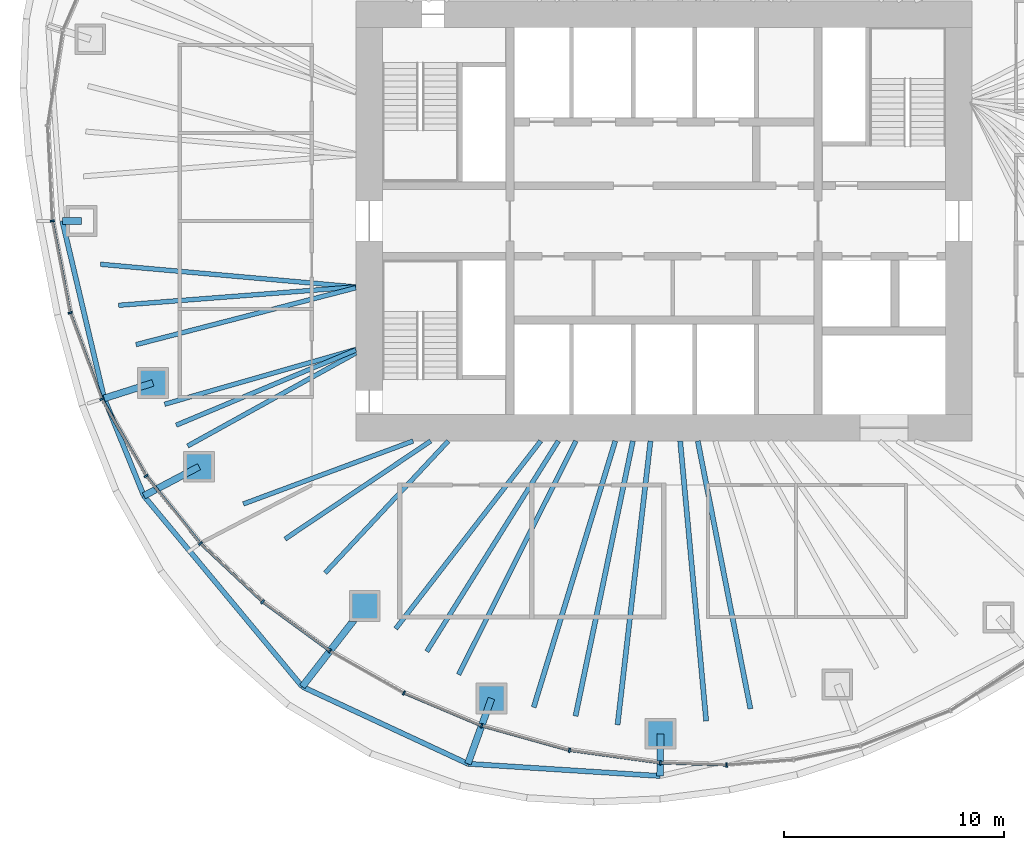
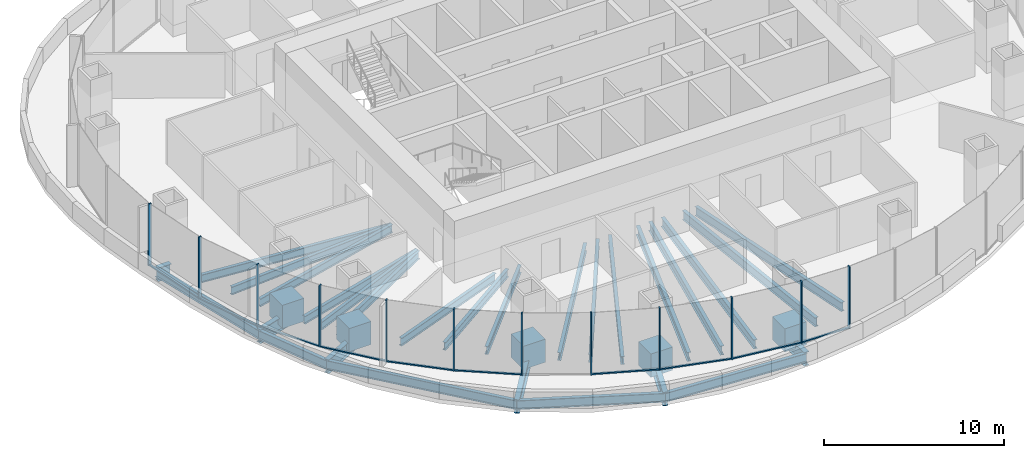
# One storey, part 2 of 12: 28 beams, 27 members, 6 elements without a shape of their own.
"""IFC4 building model written with IfcOpenShell, lengths in metres."""

from ifc_helpers import new_model, si_unit, direction, frame, origin, origin_2d, place, context, subcontext, project, spatial, rectangle, hollow_rectangle, i_section, extrude, boolean, material, material_profile, profile_set, type_object, element, aggregate, save


model = new_model("IFC4")

# Units and contexts
model_context = context("Model", 3, precision=1e-05, world=origin(), true_north=direction((0.0, 1.0)))
body_context = subcontext(model_context, "Body", "Model", "MODEL_VIEW")
ifc_project = project(units=[si_unit("LENGTHUNIT", "METRE"), si_unit("AREAUNIT", "SQUARE_METRE"), si_unit("VOLUMEUNIT", "CUBIC_METRE"), si_unit("PLANEANGLEUNIT", "RADIAN"), si_unit("MASSUNIT", "GRAM", prefix="KILO")], contexts=[model_context])

# Site, building, storey
site_placement = place(None, origin())
site = spatial("IfcSite", under=ifc_project, at=site_placement, CompositionType="ELEMENT")
building_placement = place(site_placement, origin())
building = spatial("IfcBuilding", under=site, at=building_placement, Name="Ghaith Harvest Tower", CompositionType="ELEMENT")
storey_placement = place(building_placement, frame((0.0, 0.0, 194.800048828125)))
storey = spatial("IfcBuildingStorey", under=building, at=storey_placement, Name="L42", CompositionType="ELEMENT", Elevation=194.800048828125)

# Curtain wall, members
ifc_material_1 = material(Name="Black anodised aluminium and fritted glass", Category="aluminium")
curtain_wall_type = type_object("IfcCurtainWallType", Name="CW-H CURTAIN WALL", PredefinedType="NOTDEFINED", material=ifc_material_1)
curtain_wall_1_placement = place(storey_placement, origin())
curtain_wall_1 = element("IfcCurtainWall", 1, at=curtain_wall_1_placement, inside=storey, type_object=curtain_wall_type, Name="Curtain wall CW-H bay 11 L42", PredefinedType="NOTDEFINED")
ifc_material_2 = material(Name="Aluminium, black anodised", Category="aluminium")
ifc_material_profile_1 = material_profile(ifc_material_2, rectangle(XDim=0.080078125, YDim=0.199951171875, at=origin_2d()), Name="CW-H MULLION 80x200")
ifc_profile_set_1 = profile_set([ifc_material_profile_1], Name="Aluminium, black anodised")
member_type_1 = type_object("IfcMemberType", Name="CW-H MULLION 80x200", PredefinedType="MULLION", material=ifc_profile_set_1)
member_1_placement = place(storey_placement, frame((-27.794921875, 0.0, 0.0), z_axis=(0.0, 0.0, 1.0), x_axis=(0.12024996575, -0.992743645528, 0.0)))
member_1 = element("IfcMember", 2, at=member_1_placement, type_object=member_type_1, Name="CW-H mullion 1 bay 11 L42", PredefinedType="MULLION", context=body_context, shape_type="SweptSolid", body=[
    extrude(rectangle(XDim=0.080078125, YDim=0.199951171875, at=origin_2d()), origin(), (0.0, 0.0, 1.0), 4.199951171875),
])
member_2_placement = place(storey_placement, frame((-26.9853515625, -4.173828125, 0.0), z_axis=(0.0, 0.0, 1.0), x_axis=(0.268568830903, -0.963260495955, 0.0)))
member_2 = element("IfcMember", 3, at=member_2_placement, type_object=member_type_1, Name="CW-H mullion 2 bay 11 L42", PredefinedType="MULLION", context=body_context, shape_type="SweptSolid", body=[
    extrude(rectangle(XDim=0.080078125, YDim=0.199951171875, at=origin_2d()), origin(), (0.0, 0.0, 1.0), 4.199951171875),
])

curtain_wall_2_placement = place(storey_placement, origin())
curtain_wall_2 = element("IfcCurtainWall", 4, at=curtain_wall_2_placement, inside=storey, type_object=curtain_wall_type, Name="Curtain wall CW-H bay 12 L42", PredefinedType="NOTDEFINED")
member_3_placement = place(storey_placement, frame((-25.538330078125, -8.093505859375, 0.0), z_axis=(0.0, 0.0, 1.0), x_axis=(0.422308650185, -0.906452096903, 0.0)))
member_3 = element("IfcMember", 5, at=member_3_placement, type_object=member_type_1, Name="CW-H mullion 1 bay 12 L42", PredefinedType="MULLION", context=body_context, shape_type="SweptSolid", body=[
    extrude(rectangle(XDim=0.080078125, YDim=0.199951171875, at=origin_2d()), origin(), (0.0, 0.0, 1.0), 4.199951171875),
])
member_4_placement = place(storey_placement, frame((-23.533203125, -11.58349609375, 0.0), z_axis=(0.0, 0.0, 1.0), x_axis=(0.563616546013, -0.826036554312, 0.0)))
member_4 = element("IfcMember", 6, at=member_4_placement, type_object=member_type_1, Name="CW-H mullion 2 bay 12 L42", PredefinedType="MULLION", context=body_context, shape_type="SweptSolid", body=[
    extrude(rectangle(XDim=0.080078125, YDim=0.199951171875, at=origin_2d()), origin(), (0.0, 0.0, 1.0), 4.199951171875),
])

curtain_wall_3_placement = place(storey_placement, origin())
curtain_wall_3 = element("IfcCurtainWall", 7, at=curtain_wall_3_placement, inside=storey, type_object=curtain_wall_type, Name="Curtain wall CW-H bay 13 L42", PredefinedType="NOTDEFINED")
member_5_placement = place(storey_placement, frame((-21.0615234375, -14.65478515625, 0.0), z_axis=(0.0, 0.0, 1.0), x_axis=(0.679181589754, -0.733970277422, 0.0)))
member_5 = element("IfcMember", 8, at=member_5_placement, type_object=member_type_1, Name="CW-H mullion 1 bay 13 L42", PredefinedType="MULLION", context=body_context, shape_type="SweptSolid", body=[
    extrude(rectangle(XDim=0.080078125, YDim=0.199951171875, at=origin_2d()), origin(), (0.0, 0.0, 1.0), 4.199951171875),
])
member_6_placement = place(storey_placement, frame((-18.238037109375, -17.30615234375, 0.0), z_axis=(0.0, 0.0, 1.0), x_axis=(0.769216709506, -0.638987991919, 0.0)))
member_6 = element("IfcMember", 9, at=member_6_placement, type_object=member_type_1, Name="CW-H mullion 2 bay 13 L42", PredefinedType="MULLION", context=body_context, shape_type="SweptSolid", body=[
    extrude(rectangle(XDim=0.080078125, YDim=0.199951171875, at=origin_2d()), origin(), (0.0, 0.0, 1.0), 4.199951171875),
])

curtain_wall_4_placement = place(storey_placement, origin())
curtain_wall_4 = element("IfcCurtainWall", 10, at=curtain_wall_4_placement, inside=storey, type_object=curtain_wall_type, Name="Curtain wall CW-H bay 14 L42", PredefinedType="NOTDEFINED")
member_7_placement = place(storey_placement, frame((-15.177490234375, -19.542724609375, 0.0), z_axis=(0.0, 0.0, 1.0), x_axis=(0.840233591157, -0.5422245958, 0.0)))
member_7 = element("IfcMember", 11, at=member_7_placement, type_object=member_type_1, Name="CW-H mullion 1 bay 14 L42", PredefinedType="MULLION", context=body_context, shape_type="SweptSolid", body=[
    extrude(rectangle(XDim=0.080078125, YDim=0.199951171875, at=origin_2d()), origin(), (0.0, 0.0, 1.0), 4.199951171875),
])
member_8_placement = place(storey_placement, frame((-11.815185546875, -21.45068359375, 0.0), z_axis=(0.0, 0.0, 1.0), x_axis=(0.896852966189, -0.442328788389, 0.0)))
member_8 = element("IfcMember", 12, at=member_8_placement, type_object=member_type_1, Name="CW-H mullion 2 bay 14 L42", PredefinedType="MULLION", context=body_context, shape_type="SweptSolid", body=[
    extrude(rectangle(XDim=0.080078125, YDim=0.199951171875, at=origin_2d()), origin(), (0.0, 0.0, 1.0), 4.199951171875),
])

curtain_wall_5_placement = place(storey_placement, origin())
curtain_wall_5 = element("IfcCurtainWall", 13, at=curtain_wall_5_placement, inside=storey, type_object=curtain_wall_type, Name="Curtain wall CW-H bay 15 L42", PredefinedType="NOTDEFINED")
member_9_placement = place(storey_placement, frame((-8.285888671875, -22.941650390625, 0.0), z_axis=(0.0, 0.0, 1.0), x_axis=(0.944906041636, -0.327341675439, 0.0)))
member_9 = element("IfcMember", 14, at=member_9_placement, type_object=member_type_1, Name="CW-H mullion 1 bay 15 L42", PredefinedType="MULLION", context=body_context, shape_type="SweptSolid", body=[
    extrude(rectangle(XDim=0.080078125, YDim=0.199951171875, at=origin_2d()), origin(), (0.0, 0.0, 1.0), 4.199951171875),
])
member_10_placement = place(storey_placement, frame((-4.2958984375, -24.0556640625, 0.0), z_axis=(0.0, 0.0, 1.0), x_axis=(0.979161388311, -0.203083666601, 0.0)))
member_10 = element("IfcMember", 15, at=member_10_placement, type_object=member_type_1, Name="CW-H mullion 2 bay 15 L42", PredefinedType="MULLION", context=body_context, shape_type="SweptSolid", body=[
    extrude(rectangle(XDim=0.080078125, YDim=0.199951171875, at=origin_2d()), origin(), (0.0, 0.0, 1.0), 4.199951171875),
])

curtain_wall_6_placement = place(storey_placement, origin())
curtain_wall_6 = element("IfcCurtainWall", 16, at=curtain_wall_6_placement, inside=storey, type_object=curtain_wall_type, Name="Curtain wall CW-H bay 16 L42", PredefinedType="NOTDEFINED")
member_11_placement = place(storey_placement, frame((-0.16845703125, -24.625244140625, 0.0), z_axis=(0.0, 0.0, 1.0), x_axis=(0.99568459113, -0.092801912617, 0.0)))
member_11 = element("IfcMember", 17, at=member_11_placement, type_object=member_type_1, Name="CW-H mullion 1 bay 16 L42", PredefinedType="MULLION", context=body_context, shape_type="SweptSolid", body=[
    extrude(rectangle(XDim=0.080078125, YDim=0.199951171875, at=origin_2d()), origin(), (0.0, 0.0, 1.0), 4.199951171875),
])
member_12_placement = place(storey_placement, frame((2.84765625, -24.721435546875, 0.0), z_axis=(0.0, 0.0, 1.0), x_axis=(0.999724413906, 0.02347543907, 0.0)))
member_12 = element("IfcMember", 18, at=member_12_placement, type_object=member_type_1, Name="CW-H mullion 2 bay 16 L42", PredefinedType="MULLION", context=body_context, shape_type="SweptSolid", body=[
    extrude(rectangle(XDim=0.080078125, YDim=0.199951171875, at=origin_2d()), origin(), (0.0, 0.0, 1.0), 4.199951171875),
])

# Member
ifc_material_3 = material(Name="Aluminium, black anodised", Category="aluminium")
ifc_material_profile_2 = material_profile(ifc_material_3, rectangle(XDim=0.1298828125, YDim=0.080078125, at=origin_2d()), Name="CW-H TRANSOM 130x80")
ifc_profile_set_2 = profile_set([ifc_material_profile_2], Name="Aluminium, black anodised")
member_type_2 = type_object("IfcMemberType", Name="CW-H TRANSOM 130x80", PredefinedType="USERDEFINED", material=ifc_profile_set_2)
member_13_placement = place(storey_placement, frame((-27.787353515625, -0.039306640625, 0.0400390625), z_axis=(0.190440428338, -0.981698753821, 0.0), x_axis=(0.981698753821, 0.190440428338, 0.0)))
member_13 = element("IfcMember", 19, at=member_13_placement, type_object=member_type_2, Name="CW-H transom 1 bay 11 L42", ObjectType="TRANSOM", PredefinedType="USERDEFINED", context=body_context, shape_type="SweptSolid", body=[
    extrude(rectangle(XDim=0.1298828125, YDim=0.080078125, at=origin_2d()), origin(), (0.0, 0.0, 1.0), 4.171630859375),
])

member_14_placement = place(storey_placement, frame((-26.971435546875, -4.21142578125, 0.0400390625), z_axis=(0.346287782987, -0.93812833416, 0.0), x_axis=(0.93812833416, 0.346287782987, 0.0)))
member_14 = element("IfcMember", 20, at=member_14_placement, type_object=member_type_2, Name="CW-H transom 2 bay 11 L42", ObjectType="TRANSOM", PredefinedType="USERDEFINED", context=body_context, shape_type="SweptSolid", body=[
    extrude(rectangle(XDim=0.1298828125, YDim=0.080078125, at=origin_2d()), origin(), (0.0, 0.0, 1.0), 4.098388671875),
])

aggregate(curtain_wall_1, [member_1, member_13, member_2, member_14])

member_15_placement = place(storey_placement, frame((-25.5185546875, -8.128173828125, 0.0400390625), z_axis=(0.498176929488, -0.86707539864, 0.0), x_axis=(0.86707539864, 0.498176929488, 0.0)))
member_15 = element("IfcMember", 21, at=member_15_placement, type_object=member_type_2, Name="CW-H transom 1 bay 12 L42", ObjectType="TRANSOM", PredefinedType="USERDEFINED", context=body_context, shape_type="SweptSolid", body=[
    extrude(rectangle(XDim=0.1298828125, YDim=0.080078125, at=origin_2d()), origin(), (0.0, 0.0, 1.0), 3.945068359375),
])

member_16_placement = place(storey_placement, frame((-23.508056640625, -11.61474609375, 0.0400390625), z_axis=(0.626958878139, -0.779052350694, 0.0), x_axis=(0.779052350694, 0.626958878139, 0.0)))
member_16 = element("IfcMember", 22, at=member_16_placement, type_object=member_type_2, Name="CW-H transom 2 bay 12 L42", ObjectType="TRANSOM", PredefinedType="USERDEFINED", context=body_context, shape_type="SweptSolid", body=[
    extrude(rectangle(XDim=0.1298828125, YDim=0.080078125, at=origin_2d()), origin(), (0.0, 0.0, 1.0), 3.862060546875),
])

aggregate(curtain_wall_2, [member_3, member_15, member_4, member_16])

member_17_placement = place(storey_placement, frame((-21.032470703125, -14.68212890625, 0.0400390625), z_axis=(0.729025183709, -0.684486874613, 0.0), x_axis=(0.684486874613, 0.729025183709, 0.0)))
member_17 = element("IfcMember", 23, at=member_17_placement, type_object=member_type_2, Name="CW-H transom 1 bay 13 L42", ObjectType="TRANSOM", PredefinedType="USERDEFINED", context=body_context, shape_type="SweptSolid", body=[
    extrude(rectangle(XDim=0.1298828125, YDim=0.080078125, at=origin_2d()), origin(), (0.0, 0.0, 1.0), 3.793212890625),
])

member_18_placement = place(storey_placement, frame((-18.20556640625, -17.32958984375, 0.0400390625), z_axis=(0.807368217185, -0.590047931849, 0.0), x_axis=(0.590047931849, 0.807368217185, 0.0)))
member_18 = element("IfcMember", 24, at=member_18_placement, type_object=member_type_2, Name="CW-H transom 2 bay 13 L42", ObjectType="TRANSOM", PredefinedType="USERDEFINED", context=body_context, shape_type="SweptSolid", body=[
    extrude(rectangle(XDim=0.1298828125, YDim=0.080078125, at=origin_2d()), origin(), (0.0, 0.0, 1.0), 3.710693359375),
])

aggregate(curtain_wall_3, [member_5, member_17, member_6, member_18])

member_19_placement = place(storey_placement, frame((-11.7783203125, -21.46630859375, 0.0400390625), z_axis=(0.921182691948, -0.38913037411, 0.0), x_axis=(0.38913037411, 0.921182691948, 0.0)))
member_19 = element("IfcMember", 25, at=member_19_placement, type_object=member_type_2, Name="CW-H transom 2 bay 14 L42", ObjectType="TRANSOM", PredefinedType="USERDEFINED", context=body_context, shape_type="SweptSolid", body=[
    extrude(rectangle(XDim=0.1298828125, YDim=0.080078125, at=origin_2d()), origin(), (0.0, 0.0, 1.0), 3.751220703125),
])

aggregate(curtain_wall_4, [member_7, member_8, member_19])

member_20_placement = place(storey_placement, frame((-8.24755859375, -22.952392578125, 0.0400390625), z_axis=(0.963164092269, -0.268914356932, 0.0), x_axis=(0.268914356932, 0.963164092269, 0.0)))
member_20 = element("IfcMember", 26, at=member_20_placement, type_object=member_type_2, Name="CW-H transom 1 bay 15 L42", ObjectType="TRANSOM", PredefinedType="USERDEFINED", context=body_context, shape_type="SweptSolid", body=[
    extrude(rectangle(XDim=0.1298828125, YDim=0.080078125, at=origin_2d()), origin(), (0.0, 0.0, 1.0), 4.062744140625),
])

member_21_placement = place(storey_placement, frame((-4.25634765625, -24.06103515625, 0.0400390625), z_axis=(0.990605228149, -0.136752630555, 0.0), x_axis=(0.136752630555, 0.990605228149, 0.0)))
member_21 = element("IfcMember", 27, at=member_21_placement, type_object=member_type_2, Name="CW-H transom 2 bay 15 L42", ObjectType="TRANSOM", PredefinedType="USERDEFINED", context=body_context, shape_type="SweptSolid", body=[
    extrude(rectangle(XDim=0.1298828125, YDim=0.080078125, at=origin_2d()), origin(), (0.0, 0.0, 1.0), 4.08642578125),
])

aggregate(curtain_wall_5, [member_9, member_20, member_10, member_21])

member_22_placement = place(storey_placement, frame((-0.128662109375, -24.62646484375, 0.0400390625), z_axis=(0.999490770233, -0.031909249731, 0.0), x_axis=(0.031909249731, 0.999490770233, 0.0)))
member_22 = element("IfcMember", 28, at=member_22_placement, type_object=member_type_2, Name="CW-H transom 1 bay 16 L42", ObjectType="TRANSOM", PredefinedType="USERDEFINED", context=body_context, shape_type="SweptSolid", body=[
    extrude(rectangle(XDim=0.1298828125, YDim=0.080078125, at=origin_2d()), origin(), (0.0, 0.0, 1.0), 2.93798828125),
])

aggregate(curtain_wall_6, [member_11, member_22, member_12])

# Beams
ifc_material_4 = material(Name="Steel ASTM A992 Grade 50", Category="steel")
ifc_material_profile_3 = material_profile(ifc_material_4, i_section(OverallWidth=0.22900390625, OverallDepth=0.612060546875, WebThickness=0.011962890625, FlangeThickness=0.01953125, at=origin_2d()), Name="W610X125")
ifc_profile_set_3 = profile_set([ifc_material_profile_3], Name="Steel ASTM A992 Grade 50")
beam_type_1 = type_object("IfcBeamType", Name="E610-125 W610X125", PredefinedType="SPANDREL", material=ifc_profile_set_3)
beam_1_placement = place(storey_placement, frame((-27.34130859375, 0.0, -0.5810546875), z_axis=(0.229983836089, -0.973194448781, 0.0), x_axis=(0.973194448781, 0.229983836089, 0.0)))
element("IfcBeam", 29, at=beam_1_placement, inside=storey, type_object=beam_type_1, Name="Setback edge beam E11 L42", PredefinedType="SPANDREL", context=body_context, shape_type="SweptSolid", body=[
    extrude(i_section(OverallWidth=0.22900390625, OverallDepth=0.612060546875, WebThickness=0.011962890625, FlangeThickness=0.01953125, at=origin_2d()), origin(), (0.0, 0.0, 1.0), 8.283203125),
])
beam_2_placement = place(storey_placement, frame((-25.436279296875, -8.061279296875, -0.5810546875), z_axis=(0.37655911694, -0.926392590347, 0.0), x_axis=(0.926392590347, 0.37655911694, 0.0)))
element("IfcBeam", 30, at=beam_2_placement, inside=storey, type_object=beam_type_1, Name="Setback edge beam E12 L42", PredefinedType="SPANDREL", context=body_context, shape_type="SweptSolid", body=[
    extrude(i_section(OverallWidth=0.22900390625, OverallDepth=0.612060546875, WebThickness=0.011962890625, FlangeThickness=0.01953125, at=origin_2d()), origin(), (0.0, 0.0, 1.0), 4.783447265625),
])
beam_3_placement = place(storey_placement, frame((-23.635009765625, -12.49267578125, -0.5810546875), z_axis=(0.638710852512, -0.769446844742, 0.0), x_axis=(0.769446844742, 0.638710852512, 0.0)))
element("IfcBeam", 31, at=beam_3_placement, inside=storey, type_object=beam_type_1, Name="Setback edge beam E13 L42", PredefinedType="SPANDREL", context=body_context, shape_type="SweptSolid", body=[
    extrude(i_section(OverallWidth=0.22900390625, OverallDepth=0.612060546875, WebThickness=0.011962890625, FlangeThickness=0.01953125, at=origin_2d()), origin(), (0.0, 0.0, 1.0), 11.27001953125),
])
beam_4_placement = place(storey_placement, frame((-16.436767578125, -21.164306640625, -0.5810546875), z_axis=(0.906613870179, -0.421961242769, 0.0), x_axis=(0.421961242769, 0.906613870179, 0.0)))
element("IfcBeam", 32, at=beam_4_placement, inside=storey, type_object=beam_type_1, Name="Setback edge beam E14 L42", PredefinedType="SPANDREL", context=body_context, shape_type="SweptSolid", body=[
    extrude(i_section(OverallWidth=0.22900390625, OverallDepth=0.612060546875, WebThickness=0.011962890625, FlangeThickness=0.01953125, at=origin_2d()), origin(), (0.0, 0.0, 1.0), 8.302734375),
])
beam_5_placement = place(storey_placement, frame((-8.909423828125, -24.667724609375, -0.5810546875), z_axis=(0.997981849764, -0.063499823169, 0.0), x_axis=(0.063499823169, 0.997981849764, 0.0)))
element("IfcBeam", 33, at=beam_5_placement, inside=storey, type_object=beam_type_1, Name="Setback edge beam E15 L42", PredefinedType="SPANDREL", context=body_context, shape_type="SweptSolid", body=[
    extrude(i_section(OverallWidth=0.22900390625, OverallDepth=0.612060546875, WebThickness=0.011962890625, FlangeThickness=0.01953125, at=origin_2d()), origin(), (0.0, 0.0, 1.0), 8.75439453125),
])
ifc_material_5 = material(Name="Steel ASTM A992 Grade 50", Category="steel")
ifc_material_profile_4 = material_profile(ifc_material_5, i_section(OverallWidth=0.31005859375, OverallDepth=0.927001953125, WebThickness=0.019287109375, FlangeThickness=0.031982421875, at=origin_2d()), Name="W920X289")
ifc_profile_set_4 = profile_set([ifc_material_profile_4], Name="Steel ASTM A992 Grade 50")
beam_type_2 = type_object("IfcBeamType", Name="G920-289 W920X289", PredefinedType="BEAM", material=ifc_profile_set_4)
beam_6_placement = place(storey_placement, frame((-26.47509765625, 0.0, -0.738525390625), z_axis=(-1.0, 0.0, 0.0), x_axis=(0.0, -1.0, 0.0)))
element("IfcBeam", 34, at=beam_6_placement, inside=storey, type_object=beam_type_2, Name="Setback cantilever G11 L42", PredefinedType="BEAM", context=body_context, shape_type="SweptSolid", body=[
    extrude(i_section(OverallWidth=0.31005859375, OverallDepth=0.927001953125, WebThickness=0.019287109375, FlangeThickness=0.031982421875, at=origin_2d()), origin(), (0.0, 0.0, 1.0), 0.8662109375),
])
beam_7_placement = place(storey_placement, frame((-23.22412109375, -7.360107421875, -0.738525390625), z_axis=(-0.95326094327, -0.30214826499, 0.0), x_axis=(0.30214826499, -0.95326094327, 0.0)))
element("IfcBeam", 35, at=beam_7_placement, inside=storey, type_object=beam_type_2, Name="Setback cantilever G12 L42", PredefinedType="BEAM", context=body_context, shape_type="SweptSolid", body=[
    extrude(i_section(OverallWidth=0.31005859375, OverallDepth=0.927001953125, WebThickness=0.019287109375, FlangeThickness=0.031982421875, at=origin_2d()), origin(), (0.0, 0.0, 1.0), 2.320556640625),
])
beam_8_placement = place(storey_placement, frame((-21.125, -11.166015625, -0.738525390625), z_axis=(-0.884103568343, -0.467291001885, 0.0), x_axis=(0.467291001885, -0.884103568343, 0.0)))
element("IfcBeam", 36, at=beam_8_placement, inside=storey, type_object=beam_type_2, Name="Setback cantilever G13 L42", PredefinedType="BEAM", context=body_context, shape_type="SweptSolid", body=[
    extrude(i_section(OverallWidth=0.31005859375, OverallDepth=0.927001953125, WebThickness=0.019287109375, FlangeThickness=0.031982421875, at=origin_2d()), origin(), (0.0, 0.0, 1.0), 2.839111328125),
])
beam_9_placement = place(storey_placement, frame((-13.594970703125, -17.5048828125, -0.738525390625), z_axis=(-0.613345819761, -0.789814475292, 0.0), x_axis=(0.789814475292, -0.613345819761, 0.0)))
element("IfcBeam", 37, at=beam_9_placement, inside=storey, type_object=beam_type_2, Name="Setback cantilever G14 L42", PredefinedType="BEAM", context=body_context, shape_type="SweptSolid", body=[
    extrude(i_section(OverallWidth=0.31005859375, OverallDepth=0.927001953125, WebThickness=0.019287109375, FlangeThickness=0.031982421875, at=origin_2d()), origin(), (0.0, 0.0, 1.0), 4.63330078125),
])
beam_10_placement = place(storey_placement, frame((-7.837890625, -21.699951171875, -0.738525390625), z_axis=(-0.339598830619, -0.940570377081, 0.0), x_axis=(0.940570377081, -0.339598830619, 0.0)))
element("IfcBeam", 38, at=beam_10_placement, inside=storey, type_object=beam_type_2, Name="Setback cantilever G15 L42", PredefinedType="BEAM", context=body_context, shape_type="SweptSolid", body=[
    extrude(i_section(OverallWidth=0.31005859375, OverallDepth=0.927001953125, WebThickness=0.019287109375, FlangeThickness=0.031982421875, at=origin_2d()), origin(), (0.0, 0.0, 1.0), 3.1552734375),
])
beam_11_placement = place(storey_placement, frame((-0.158935546875, -23.304931640625, -0.738525390625), z_axis=(-0.007125407607, -0.999974613961, 0.0), x_axis=(0.999974613961, -0.007125407607, 0.0)))
element("IfcBeam", 39, at=beam_11_placement, inside=storey, type_object=beam_type_2, Name="Setback cantilever G16 L42", PredefinedType="BEAM", context=body_context, shape_type="SweptSolid", body=[
    extrude(i_section(OverallWidth=0.31005859375, OverallDepth=0.927001953125, WebThickness=0.019287109375, FlangeThickness=0.031982421875, at=origin_2d()), origin(), (0.0, 0.0, 1.0), 1.918701171875),
])
ifc_material_6 = material(Name="Steel ASTM A992 Grade 50", Category="steel")
ifc_material_profile_5 = material_profile(ifc_material_6, i_section(OverallWidth=0.2109375, OverallDepth=0.5390625, WebThickness=0.01171875, FlangeThickness=0.018798828125, at=origin_2d()), Name="W530X109")
ifc_profile_set_5 = profile_set([ifc_material_profile_5], Name="Steel ASTM A992 Grade 50")
beam_type_3 = type_object("IfcBeamType", Name="J530-109 W530X109", PredefinedType="JOIST", material=ifc_profile_set_5)
beam_12_placement = place(storey_placement, frame((-14.0, -3.0, -0.439453125), z_axis=(-0.996073420914, 0.088531012356, 0.0), x_axis=(-0.088531012356, -0.996073420914, 0.0)))
element("IfcBeam", 40, at=beam_12_placement, inside=storey, type_object=beam_type_3, Name="Joist J11.1 L42", PredefinedType="JOIST", context=body_context, shape_type="SweptSolid", body=[
    extrude(i_section(OverallWidth=0.2109375, OverallDepth=0.5390625, WebThickness=0.01171875, FlangeThickness=0.018798828125, at=origin_2d()), origin(), (0.0, 0.0, 1.0), 11.651123046875),
])
beam_13_placement = place(storey_placement, frame((-14.0, -3.0, -0.439453125), z_axis=(-0.997028799301, -0.077029691443, 0.0), x_axis=(0.077029691443, -0.997028799301, 0.0)))
element("IfcBeam", 41, at=beam_13_placement, inside=storey, type_object=beam_type_3, Name="Joist J11.2 L42", PredefinedType="JOIST", context=body_context, shape_type="SweptSolid", body=[
    extrude(i_section(OverallWidth=0.2109375, OverallDepth=0.5390625, WebThickness=0.01171875, FlangeThickness=0.018798828125, at=origin_2d()), origin(), (0.0, 0.0, 1.0), 10.814208984375),
])
beam_14_placement = place(storey_placement, frame((-14.0, -3.036865234375, -0.439453125), z_axis=(-0.96812001443, -0.250486801368, 0.0), x_axis=(0.250486801368, -0.96812001443, 0.0)))
element("IfcBeam", 42, at=beam_14_placement, inside=storey, type_object=beam_type_3, Name="Joist J11.3 L42", PredefinedType="JOIST", context=body_context, shape_type="SweptSolid", body=[
    extrude(i_section(OverallWidth=0.2109375, OverallDepth=0.5390625, WebThickness=0.01171875, FlangeThickness=0.018798828125, at=origin_2d()), origin(), (0.0, 0.0, 1.0), 10.32080078125),
])
beam_15_placement = place(storey_placement, frame((-5.60009765625, -10.0, -0.439453125), z_axis=(-0.611412687895, -0.791311901264, 0.0), x_axis=(0.791311901264, -0.611412687895, 0.0)))
element("IfcBeam", 43, at=beam_15_placement, inside=storey, type_object=beam_type_3, Name="Joist J14.1 L42", PredefinedType="JOIST", context=body_context, shape_type="SweptSolid", body=[
    extrude(i_section(OverallWidth=0.2109375, OverallDepth=0.5390625, WebThickness=0.01171875, FlangeThickness=0.018798828125, at=origin_2d()), origin(), (0.0, 0.0, 1.0), 10.778076171875),
])
beam_16_placement = place(storey_placement, frame((-4.800048828125, -10.0, -0.439453125), z_axis=(-0.529921073682, -0.848046965484, 0.0), x_axis=(0.848046965484, -0.529921073682, 0.0)))
element("IfcBeam", 44, at=beam_16_placement, inside=storey, type_object=beam_type_3, Name="Joist J14.2 L42", PredefinedType="JOIST", context=body_context, shape_type="SweptSolid", body=[
    extrude(i_section(OverallWidth=0.2109375, OverallDepth=0.5390625, WebThickness=0.01171875, FlangeThickness=0.018798828125, at=origin_2d()), origin(), (0.0, 0.0, 1.0), 11.273681640625),
])
beam_17_placement = place(storey_placement, frame((-4.0, -10.0, -0.439453125), z_axis=(-0.448791718068, -0.893636387908, 0.0), x_axis=(0.893636387908, -0.448791718068, 0.0)))
element("IfcBeam", 45, at=beam_17_placement, inside=storey, type_object=beam_type_3, Name="Joist J14.3 L42", PredefinedType="JOIST", context=body_context, shape_type="SweptSolid", body=[
    extrude(i_section(OverallWidth=0.2109375, OverallDepth=0.5390625, WebThickness=0.01171875, FlangeThickness=0.018798828125, at=origin_2d()), origin(), (0.0, 0.0, 1.0), 11.8759765625),
])
ifc_material_7 = material(Name="Steel ASTM A992 Grade 50", Category="steel")
ifc_material_profile_6 = material_profile(ifc_material_7, i_section(OverallWidth=0.208984375, OverallDepth=0.532958984375, WebThickness=0.01025390625, FlangeThickness=0.015625, at=origin_2d()), Name="W530X92")
ifc_profile_set_6 = profile_set([ifc_material_profile_6], Name="Steel ASTM A992 Grade 50")
beam_type_4 = type_object("IfcBeamType", Name="J530-92 W530X92", PredefinedType="JOIST", material=ifc_profile_set_6)
beam_18_placement = place(storey_placement, frame((-14.0, -5.8369140625, -0.4365234375), z_axis=(-0.961304536785, -0.275487908185, 0.0), x_axis=(0.275487908185, -0.961304536785, 0.0)))
element("IfcBeam", 46, at=beam_18_placement, inside=storey, type_object=beam_type_4, Name="Joist J12.1 L42", PredefinedType="JOIST", context=body_context, shape_type="SweptSolid", body=[
    extrude(i_section(OverallWidth=0.208984375, OverallDepth=0.532958984375, WebThickness=0.01025390625, FlangeThickness=0.015625, at=origin_2d()), origin(), (0.0, 0.0, 1.0), 9.040283203125),
])
beam_19_placement = place(storey_placement, frame((-14.0, -5.862548828125, -0.4365234375), z_axis=(-0.922387515293, -0.386265804377, 0.0), x_axis=(0.386265804377, -0.922387515293, 0.0)))
element("IfcBeam", 47, at=beam_19_placement, inside=storey, type_object=beam_type_4, Name="Joist J12.2 L42", PredefinedType="JOIST", context=body_context, shape_type="SweptSolid", body=[
    extrude(i_section(OverallWidth=0.208984375, OverallDepth=0.532958984375, WebThickness=0.01025390625, FlangeThickness=0.015625, at=origin_2d()), origin(), (0.0, 0.0, 1.0), 8.851318359375),
])
beam_20_placement = place(storey_placement, frame((-14.0, -6.0, -0.4365234375), z_axis=(-0.875125976162, -0.483895159975, 0.0), x_axis=(0.483895159975, -0.875125976162, 0.0)))
element("IfcBeam", 48, at=beam_20_placement, inside=storey, type_object=beam_type_4, Name="Joist J12.3 L42", PredefinedType="JOIST", context=body_context, shape_type="SweptSolid", body=[
    extrude(i_section(OverallWidth=0.208984375, OverallDepth=0.532958984375, WebThickness=0.01025390625, FlangeThickness=0.015625, at=origin_2d()), origin(), (0.0, 0.0, 1.0), 8.73388671875),
])
beam_21_placement = place(storey_placement, frame((-11.39990234375, -10.0, -0.4365234375), z_axis=(-0.937594001899, -0.34773191916, 0.0), x_axis=(0.34773191916, -0.937594001899, 0.0)))
element("IfcBeam", 49, at=beam_21_placement, inside=storey, type_object=beam_type_4, Name="Joist J13.1 L42", PredefinedType="JOIST", context=body_context, shape_type="SweptSolid", body=[
    extrude(i_section(OverallWidth=0.208984375, OverallDepth=0.532958984375, WebThickness=0.01025390625, FlangeThickness=0.015625, at=origin_2d()), origin(), (0.0, 0.0, 1.0), 8.225830078125),
])
beam_22_placement = place(storey_placement, frame((-10.60009765625, -10.0, -0.4365234375), z_axis=(-0.829594017544, -0.55836705316, 0.0), x_axis=(0.55836705316, -0.829594017544, 0.0)))
element("IfcBeam", 50, at=beam_22_placement, inside=storey, type_object=beam_type_4, Name="Joist J13.2 L42", PredefinedType="JOIST", context=body_context, shape_type="SweptSolid", body=[
    extrude(i_section(OverallWidth=0.208984375, OverallDepth=0.532958984375, WebThickness=0.01025390625, FlangeThickness=0.015625, at=origin_2d()), origin(), (0.0, 0.0, 1.0), 7.977783203125),
])
beam_23_placement = place(storey_placement, frame((-9.800048828125, -10.0, -0.4365234375), z_axis=(-0.68249016383, -0.730894777841, 0.0), x_axis=(0.730894777841, -0.68249016383, 0.0)))
element("IfcBeam", 51, at=beam_23_placement, inside=storey, type_object=beam_type_4, Name="Joist J13.3 L42", PredefinedType="JOIST", context=body_context, shape_type="SweptSolid", body=[
    extrude(i_section(OverallWidth=0.208984375, OverallDepth=0.532958984375, WebThickness=0.01025390625, FlangeThickness=0.015625, at=origin_2d()), origin(), (0.0, 0.0, 1.0), 8.196044921875),
])
ifc_material_8 = material(Name="Steel ASTM A992 Grade 50", Category="steel")
ifc_material_profile_7 = material_profile(ifc_material_8, i_section(OverallWidth=0.22900390625, OverallDepth=0.612060546875, WebThickness=0.011962890625, FlangeThickness=0.01953125, at=origin_2d()), Name="W610X125")
ifc_profile_set_7 = profile_set([ifc_material_profile_7], Name="Steel ASTM A992 Grade 50")
beam_type_5 = type_object("IfcBeamType", Name="J610-125 W610X125", PredefinedType="JOIST", material=ifc_profile_set_7)
beam_24_placement = place(storey_placement, frame((-2.2119140625, -10.0, -0.47607421875), z_axis=(-0.292880561557, -0.956149034755, 0.0), x_axis=(0.956149034755, -0.292880561557, 0.0)))
element("IfcBeam", 52, at=beam_24_placement, inside=storey, type_object=beam_type_5, Name="Joist J15.1 L42", PredefinedType="JOIST", context=body_context, shape_type="SweptSolid", body=[
    extrude(i_section(OverallWidth=0.22900390625, OverallDepth=0.612060546875, WebThickness=0.011962890625, FlangeThickness=0.01953125, at=origin_2d()), origin(), (0.0, 0.0, 1.0), 12.65625),
])
beam_25_placement = place(storey_placement, frame((-1.411865234375, -10.0, -0.47607421875), z_axis=(-0.204111557153, -0.978947635084, 0.0), x_axis=(0.978947635084, -0.204111557153, 0.0)))
element("IfcBeam", 53, at=beam_25_placement, inside=storey, type_object=beam_type_5, Name="Joist J15.2 L42", PredefinedType="JOIST", context=body_context, shape_type="SweptSolid", body=[
    extrude(i_section(OverallWidth=0.22900390625, OverallDepth=0.612060546875, WebThickness=0.011962890625, FlangeThickness=0.01953125, at=origin_2d()), origin(), (0.0, 0.0, 1.0), 12.767333984375),
])
beam_26_placement = place(storey_placement, frame((-0.61181640625, -10.0, -0.47607421875), z_axis=(-0.115187191449, -0.993343802984, 0.0), x_axis=(0.993343802984, -0.115187191449, 0.0)))
element("IfcBeam", 54, at=beam_26_placement, inside=storey, type_object=beam_type_5, Name="Joist J15.3 L42", PredefinedType="JOIST", context=body_context, shape_type="SweptSolid", body=[
    extrude(i_section(OverallWidth=0.22900390625, OverallDepth=0.612060546875, WebThickness=0.011962890625, FlangeThickness=0.01953125, at=origin_2d()), origin(), (0.0, 0.0, 1.0), 12.984130859375),
])
beam_27_placement = place(storey_placement, frame((0.73828125, -10.0, -0.47607421875), z_axis=(0.092502263765, -0.99571247416, 0.0), x_axis=(0.99571247416, 0.092502263765, 0.0)))
element("IfcBeam", 55, at=beam_27_placement, inside=storey, type_object=beam_type_5, Name="Joist J16.1 L42", PredefinedType="JOIST", context=body_context, shape_type="SweptSolid", body=[
    extrude(i_section(OverallWidth=0.22900390625, OverallDepth=0.612060546875, WebThickness=0.011962890625, FlangeThickness=0.01953125, at=origin_2d()), origin(), (0.0, 0.0, 1.0), 12.781982421875),
])
beam_28_placement = place(storey_placement, frame((1.538330078125, -10.0, -0.47607421875), z_axis=(0.192844138057, -0.981229401525, 0.0), x_axis=(0.981229401525, 0.192844138057, 0.0)))
element("IfcBeam", 56, at=beam_28_placement, inside=storey, type_object=beam_type_5, Name="Joist J16.2 L42", PredefinedType="JOIST", context=body_context, shape_type="SweptSolid", body=[
    extrude(i_section(OverallWidth=0.22900390625, OverallDepth=0.612060546875, WebThickness=0.011962890625, FlangeThickness=0.01953125, at=origin_2d()), origin(), (0.0, 0.0, 1.0), 12.401611328125),
])

# Members
ifc_material_9 = material(Name="Steel S690QL", Category="steel")
ifc_material_profile_8 = material_profile(ifc_material_9, hollow_rectangle(XDim=1.39990234375, YDim=1.39990234375, WallThickness=0.139892578125, at=origin_2d()), Name="BOX1400X1400X140")
ifc_profile_set_8 = profile_set([ifc_material_profile_8], Name="Steel S690QL")
member_type_3 = type_object("IfcMemberType", Name="KN2 BOX1400X1400X140", PredefinedType="USERDEFINED", material=ifc_profile_set_8)
for number, where, z_axis, x_axis, name in (
    (57, (-23.22412109375, -7.360107421875, -0.775146484375), (0.0, 0.0, 1.0), (1.0, 0.0, 0.0), "Raked column kink node C12 head L41"),
    (58, (-21.125, -11.166015625, -0.775146484375), (0.0, 0.0, 1.0), (1.0, 0.0, 0.0), "Raked column kink node C13 head L41"),
    (59, (-13.594970703125, -17.5048828125, -0.775146484375), (0.0, 0.0, 1.0), (1.0, 0.0, 0.0), "Raked column kink node C14 head L41"),
    (60, (-7.837890625, -21.699951171875, -0.775146484375), (0.0, 0.0, 1.0), (1.0, 0.0, 0.0), "Raked column kink node C15 head L41"),
    (61, (-0.158935546875, -23.304931640625, -0.775146484375), (0.0, 0.0, 1.0), (1.0, 0.0, 0.0), "Raked column kink node C16 head L41"),
):
    element("IfcMember", number, at=place(storey_placement, frame(where, z_axis=z_axis, x_axis=x_axis)), inside=storey, type_object=member_type_3, Name=name, ObjectType="KINK NODE", PredefinedType="USERDEFINED", context=body_context, shape_type="CSG", body=[
        boolean("UNION", extrude(hollow_rectangle(XDim=1.39990234375, YDim=1.39990234375, WallThickness=0.139892578125, at=origin_2d()), origin(), (0.0, 0.0, 1.0), 1.55029296875), extrude(rectangle(XDim=1.39990234375, YDim=1.39990234375, at=origin_2d()), frame((0.0, 0.0, 1.55029296875)), (0.0, 0.0, 1.0), 0.02490234375)),
    ])

save(model, "model.ifc")
